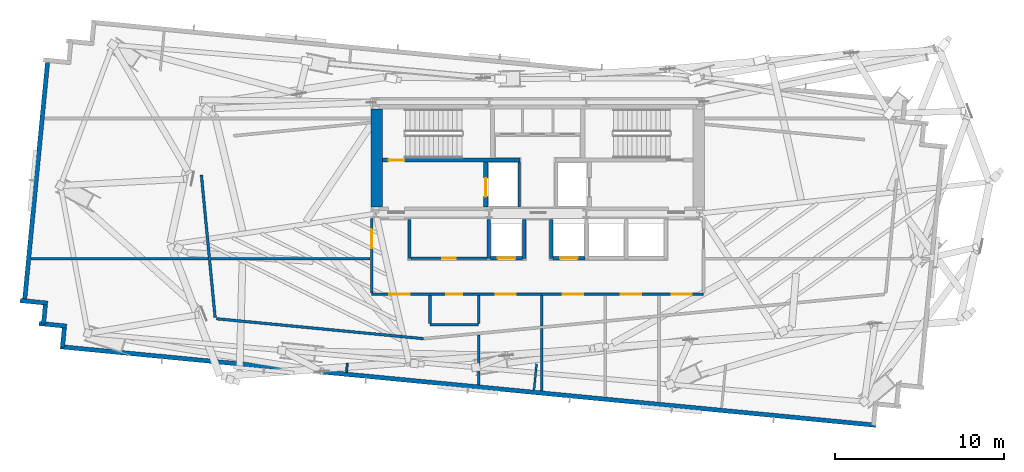
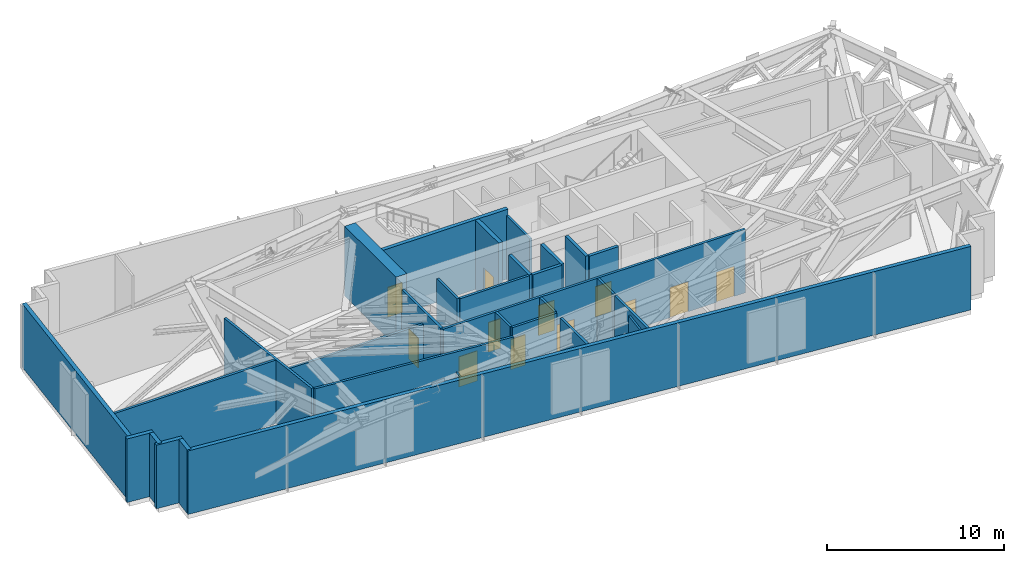
# One storey, part 6 of 10: 31 walls, 12 doors, 12 openings.
"""IFC4 building model written with IfcOpenShell, lengths in metres."""

from ifc_helpers import new_model, si_unit, direction, frame, frame_2d, origin, place, context, subcontext, project, spatial, rectangle, extrude, source, transform, mapped, material, layer, layer_set, type_object, type_shapes, element, fill, save


model = new_model("IFC4")

# Units and contexts
model_context = context("Model", 3, precision=1e-05, world=origin(), true_north=direction((0.0, 1.0)))
body_context = subcontext(model_context, "Body", "Model", "MODEL_VIEW")
ifc_project = project(units=[si_unit("LENGTHUNIT", "METRE"), si_unit("AREAUNIT", "SQUARE_METRE"), si_unit("VOLUMEUNIT", "CUBIC_METRE"), si_unit("PLANEANGLEUNIT", "RADIAN"), si_unit("MASSUNIT", "GRAM", prefix="KILO")], contexts=[model_context])

# Site, building, storey
site_placement = place(None, origin())
site = spatial("IfcSite", under=ifc_project, at=site_placement, CompositionType="ELEMENT")
building_placement = place(site_placement, origin())
building = spatial("IfcBuilding", under=site, at=building_placement, Name="Astriad Promenade Condominiums", CompositionType="ELEMENT")
storey_placement = place(building_placement, frame((0.0, 0.0, 163.0)))
storey = spatial("IfcBuildingStorey", under=building, at=storey_placement, Name="L47", CompositionType="ELEMENT", Elevation=163.0)

# Wall
ifc_material_1 = material(Name="Concrete C60/75", Category="concrete")
ifc_layer_1 = layer(ifc_material_1, 0.699951171875)
ifc_layer_set_1 = layer_set([ifc_layer_1], Name="Concrete C60/75")
wall_type_1 = type_object("IfcWallType", Name="CW-SHEAR-700", PredefinedType="SHEAR", material=ifc_layer_set_1)
wall_1_placement = place(storey_placement, frame((26.449951171875, 17.802001953125, 0.0), z_axis=(0.0, 0.0, 1.0), x_axis=(0.0, 1.0, 0.0)))
element("IfcWall", 1, at=wall_1_placement, inside=storey, type_object=wall_type_1, Name="CW-CORE-W-L47", PredefinedType="SHEAR", context=body_context, shape_type="SweptSolid", body=[
    extrude(rectangle(XDim=5.7958984375, YDim=0.699951171875, at=frame_2d((2.89794921875, 0.0))), origin(), (0.0, 0.0, 1.0), 4.800048828125),
])

# Wall, opening, door
ifc_material_2 = material(Name="Concrete C50/60", Category="concrete")
ifc_layer_2 = layer(ifc_material_2, 0.25)
ifc_layer_set_2 = layer_set([ifc_layer_2], Name="Concrete C50/60")
wall_type_2 = type_object("IfcWallType", Name="WALL-CORE-INT-250", PredefinedType="SOLIDWALL", material=ifc_layer_set_2)
wall_2_placement = place(storey_placement, frame((26.802001953125, 20.574951171875, 0.0), z_axis=(0.0, 0.0, 1.0), x_axis=(1.0, 0.0, 0.0)))
wall_2 = element("IfcWall", 2, at=wall_2_placement, inside=storey, type_object=wall_type_2, Name="CW-INT-H1-L47", PredefinedType="SOLIDWALL", context=body_context, shape_type="SweptSolid", body=[
    extrude(rectangle(XDim=8.14794921875, YDim=0.25, at=frame_2d((4.073974609375, 0.0))), origin(), (0.0, 0.0, 1.0), 4.800048828125),
])
opening_1_placement = place(wall_2_placement, frame((0.347900390625, 0.0, 0.0)))
opening_1 = element("IfcOpeningElement", 3, at=opening_1_placement, cuts=wall_2, Name="Opening FD90-ST-095", PredefinedType="OPENING", context=body_context, shape_type="SweptSolid", body=[
    extrude(rectangle(XDim=0.949951171875, YDim=2.06005859375, at=frame_2d((0.47509765625, 1.030029296875))), frame((0.0, 0.135009765625, 0.0), z_axis=(0.0, -1.0, 0.0), x_axis=(1.0, 0.0, 0.0)), (0.0, 0.0, 1.0), 0.27001953125),
])
ifc_material_3 = material(Name="Fire-Rated Hollow Metal Stair Door")
door_type_1 = type_object("IfcDoorType", Name="FD90-ST-095", OperationType="NOTDEFINED", PredefinedType="DOOR", material=ifc_material_3)
shared_shape_1 = source(origin(), body_context, "Body", "SweptSolid", [
    extrude(rectangle(XDim=0.949951171875, YDim=2.06005859375, at=frame_2d((0.47509765625, 1.030029296875))), frame((0.0, 0.02490234375, 0.0), z_axis=(0.0, -1.0, 0.0), x_axis=(1.0, 0.0, 0.0)), (0.0, 0.0, 1.0), 0.050048828125),
])
type_shapes(door_type_1, [shared_shape_1])
door_1_placement = place(opening_1_placement, origin())
door_1 = element("IfcDoor", 4, at=door_1_placement, inside=storey, type_object=door_type_1, Name="D-ST1-L47", OperationType="SINGLE_SWING_LEFT", OverallHeight=2.06005859375, OverallWidth=0.949951171875, PredefinedType="DOOR", context=body_context, shape_type="MappedRepresentation", body=[
    mapped(shared_shape_1, transform((0.0, 0.0, 0.0), scale=1.0)),
])
fill(opening_1, door_1)

wall_3_placement = place(storey_placement, frame((32.925048828125, 17.802001953125, 0.0), z_axis=(0.0, 0.0, 1.0), x_axis=(0.0, 1.0, 0.0)))
wall_3 = element("IfcWall", 5, at=wall_3_placement, inside=storey, type_object=wall_type_2, Name="CW-FFL1-W-L47", PredefinedType="SOLIDWALL", context=body_context, shape_type="SweptSolid", body=[
    extrude(rectangle(XDim=2.64599609375, YDim=0.25, at=frame_2d((1.322998046875, 0.0))), origin(), (0.0, 0.0, 1.0), 4.800048828125),
])
opening_2_placement = place(wall_3_placement, frame((0.597900390625, 0.0, 0.0)))
opening_2 = element("IfcOpeningElement", 6, at=opening_2_placement, cuts=wall_3, Name="Opening LD-FFL-1122", PredefinedType="OPENING", context=body_context, shape_type="SweptSolid", body=[
    extrude(rectangle(XDim=1.10009765625, YDim=2.080078125, at=frame_2d((0.550048828125, 1.0400390625))), frame((0.0, 0.135009765625, 0.0), z_axis=(0.0, -1.0, 0.0), x_axis=(1.0, 0.0, 0.0)), (0.0, 0.0, 1.0), 0.27001953125),
])
ifc_material_4 = material(Name="Brushed Stainless Steel Fire Elevator Landing Door", Category="steel")
door_type_2 = type_object("IfcDoorType", Name="LD-FFL-1122", OperationType="NOTDEFINED", PredefinedType="DOOR", material=ifc_material_4)
shared_shape_2 = source(origin(), body_context, "Body", "SweptSolid", [
    extrude(rectangle(XDim=1.10009765625, YDim=2.080078125, at=frame_2d((0.550048828125, 1.0400390625))), frame((0.0, 0.02490234375, 0.0), z_axis=(0.0, -1.0, 0.0), x_axis=(1.0, 0.0, 0.0)), (0.0, 0.0, 1.0), 0.050048828125),
])
type_shapes(door_type_2, [shared_shape_2])
door_2_placement = place(opening_2_placement, origin())
door_2 = element("IfcDoor", 7, at=door_2_placement, inside=storey, type_object=door_type_2, Name="Elevator Landing Door FFL-1 (L47)", OperationType="SLIDING_TO_LEFT", OverallHeight=2.080078125, OverallWidth=1.10009765625, PredefinedType="DOOR", context=body_context, shape_type="MappedRepresentation", body=[
    mapped(shared_shape_2, transform((0.0, 0.0, 0.0), scale=1.0)),
])
fill(opening_2, door_2)

# Walls
ifc_material_5 = material(Name="Fire-Rated Gypsum Partition")
ifc_layer_3 = layer(ifc_material_5, 0.159912109375)
ifc_layer_set_3 = layer_set([ifc_layer_3], Name="Fire-Rated Gypsum Partition")
wall_type_3 = type_object("IfcWallType", Name="WALL-CORR-160", PredefinedType="PARTITIONING", material=ifc_layer_set_3)
wall_4_placement = place(storey_placement, frame((34.89990234375, 17.802001953125, 0.0), z_axis=(0.0, 0.0, 1.0), x_axis=(0.0, 1.0, 0.0)))
element("IfcWall", 8, at=wall_4_placement, inside=storey, type_object=wall_type_3, Name="CW-FFL1-E-L47", PredefinedType="PARTITIONING", context=body_context, shape_type="SweptSolid", body=[
    extrude(rectangle(XDim=2.64599609375, YDim=0.159912109375, at=frame_2d((1.322998046875, 0.0))), origin(), (0.0, 0.0, 1.0), 4.3798828125),
])
wall_5_placement = place(storey_placement, frame((28.39990234375, 14.75, 0.0), z_axis=(0.0, 0.0, 1.0), x_axis=(0.0, 1.0, 0.0)))
element("IfcWall", 9, at=wall_5_placement, inside=storey, type_object=wall_type_3, Name="REC-L-W-L47", PredefinedType="PARTITIONING", context=body_context, shape_type="SweptSolid", body=[
    extrude(rectangle(XDim=2.300048828125, YDim=0.159912109375, at=frame_2d((1.14990234375, 0.0))), origin(), (0.0, 0.0, 1.0), 4.3798828125),
])

# Wall, opening, door
wall_6_placement = place(storey_placement, frame((28.48193359375, 14.75, 0.0), z_axis=(0.0, 0.0, 1.0), x_axis=(1.0, 0.0, 0.0)))
wall_6 = element("IfcWall", 10, at=wall_6_placement, inside=storey, type_object=wall_type_3, Name="REC-L-S-L47", PredefinedType="PARTITIONING", context=body_context, shape_type="SweptSolid", body=[
    extrude(rectangle(XDim=4.51611328125, YDim=0.159912109375, at=frame_2d((2.258056640625, 0.0))), origin(), (0.0, 0.0, 1.0), 4.3798828125),
])
opening_3_placement = place(wall_6_placement, frame((1.867919921875, 0.0, 0.0)))
opening_3 = element("IfcOpeningElement", 11, at=opening_3_placement, cuts=wall_6, Name="Opening FD60-SV-080", PredefinedType="OPENING", context=body_context, shape_type="SweptSolid", body=[
    extrude(rectangle(XDim=0.800048828125, YDim=2.050048828125, at=frame_2d((0.39990234375, 1.02490234375))), frame((0.0, 0.08984375, 0.0), z_axis=(0.0, -1.0, 0.0), x_axis=(1.0, 0.0, 0.0)), (0.0, 0.0, 1.0), 0.179931640625),
])
ifc_material_6 = material(Name="Fire-Rated Riser Closet Door")
door_type_3 = type_object("IfcDoorType", Name="FD60-SV-080", OperationType="NOTDEFINED", PredefinedType="DOOR", material=ifc_material_6)
shared_shape_3 = source(origin(), body_context, "Body", "SweptSolid", [
    extrude(rectangle(XDim=0.800048828125, YDim=2.050048828125, at=frame_2d((0.39990234375, 1.02490234375))), frame((0.0, 0.02490234375, 0.0), z_axis=(0.0, -1.0, 0.0), x_axis=(1.0, 0.0, 0.0)), (0.0, 0.0, 1.0), 0.050048828125),
])
type_shapes(door_type_3, [shared_shape_3])
door_3_placement = place(opening_3_placement, origin())
door_3 = element("IfcDoor", 12, at=door_3_placement, inside=storey, type_object=door_type_3, Name="D-RECL-L47", OperationType="SINGLE_SWING_RIGHT", OverallHeight=2.050048828125, OverallWidth=0.800048828125, PredefinedType="DOOR", context=body_context, shape_type="MappedRepresentation", body=[
    mapped(shared_shape_3, transform((0.0, 0.0, 0.0), scale=1.0)),
])
fill(opening_3, door_3)

# Walls
wall_7_placement = place(storey_placement, frame((29.22802734375, 9.98095703125, 0.0), z_axis=(0.0, 0.0, 1.0), x_axis=(-0.995396991486, 0.095837515313, 0.0)))
element("IfcWall", 13, at=wall_7_placement, inside=storey, type_object=wall_type_3, Name="PT-L47-BTR-03", PredefinedType="PARTITIONING", context=body_context, shape_type="SweptSolid", body=[
    extrude(rectangle(XDim=12.344970703125, YDim=0.159912109375, at=frame_2d((6.17236328125, 0.0))), origin(), (0.0, 0.0, 1.0), 4.3798828125),
])
wall_8_placement = place(storey_placement, frame((16.867919921875, 11.236083984375, 0.0), z_axis=(0.0, 0.0, 1.0), x_axis=(-0.095861975129, 0.995394636174, 0.0)))
element("IfcWall", 14, at=wall_8_placement, inside=storey, type_object=wall_type_3, Name="PT-L47-BTR-04", PredefinedType="PARTITIONING", context=body_context, shape_type="SweptSolid", body=[
    extrude(rectangle(XDim=8.490966796875, YDim=0.159912109375, at=frame_2d((4.24560546875, 0.0))), origin(), (0.0, 0.0, 1.0), 4.3798828125),
])

# Wall, openings, doors
wall_9_placement = place(storey_placement, frame((26.14990234375, 12.6201171875, 0.0), z_axis=(0.0, 0.0, 1.0), x_axis=(1.0, 0.0, 0.0)))
wall_9 = element("IfcWall", 15, at=wall_9_placement, inside=storey, type_object=wall_type_3, Name="PT-L47-PCS", PredefinedType="PARTITIONING", context=body_context, shape_type="SweptSolid", body=[
    extrude(rectangle(XDim=19.7001953125, YDim=0.159912109375, at=frame_2d((9.85009765625, 0.0))), origin(), (0.0, 0.0, 1.0), 4.3798828125),
])
opening_4_placement = place(wall_9_placement, frame((1.050048828125, 0.0, 0.0)))
opening_4 = element("IfcOpeningElement", 16, at=opening_4_placement, cuts=wall_9, Name="Opening FD90-PLT-1222", PredefinedType="OPENING", context=body_context, shape_type="SweptSolid", body=[
    extrude(rectangle(XDim=1.199951171875, YDim=2.080078125, at=frame_2d((0.60009765625, 1.0400390625))), frame((0.0, 0.08984375, 0.0), z_axis=(0.0, -1.0, 0.0), x_axis=(1.0, 0.0, 0.0)), (0.0, 0.0, 1.0), 0.179931640625),
])
opening_5_placement = place(wall_9_placement, frame((4.425048828125, 0.0, 0.0)))
opening_5 = element("IfcOpeningElement", 17, at=opening_5_placement, cuts=wall_9, Name="Opening D-WET-095", PredefinedType="OPENING", context=body_context, shape_type="SweptSolid", body=[
    extrude(rectangle(XDim=0.949951171875, YDim=2.10009765625, at=frame_2d((0.47509765625, 1.050048828125))), frame((0.0, 0.08984375, 0.0), z_axis=(0.0, -1.0, 0.0), x_axis=(1.0, 0.0, 0.0)), (0.0, 0.0, 1.0), 0.179931640625),
])
opening_6_placement = place(wall_9_placement, frame((7.35009765625, 0.0, 0.0)))
opening_6 = element("IfcOpeningElement", 18, at=opening_6_placement, cuts=wall_9, Name="Opening FD90-PLT-1222", PredefinedType="OPENING", context=body_context, shape_type="SweptSolid", body=[
    extrude(rectangle(XDim=1.199951171875, YDim=2.080078125, at=frame_2d((0.60009765625, 1.0400390625))), frame((0.0, 0.08984375, 0.0), z_axis=(0.0, -1.0, 0.0), x_axis=(1.0, 0.0, 0.0)), (0.0, 0.0, 1.0), 0.179931640625),
])
opening_7_placement = place(wall_9_placement, frame((11.35009765625, 0.0, 0.0)))
opening_7 = element("IfcOpeningElement", 19, at=opening_7_placement, cuts=wall_9, Name="Opening FD90-PLT-1222", PredefinedType="OPENING", context=body_context, shape_type="SweptSolid", body=[
    extrude(rectangle(XDim=1.199951171875, YDim=2.080078125, at=frame_2d((0.60009765625, 1.0400390625))), frame((0.0, 0.08984375, 0.0), z_axis=(0.0, -1.0, 0.0), x_axis=(1.0, 0.0, 0.0)), (0.0, 0.0, 1.0), 0.179931640625),
])
opening_8_placement = place(wall_9_placement, frame((14.7900390625, 0.0, 0.0)))
opening_8 = element("IfcOpeningElement", 20, at=opening_8_placement, cuts=wall_9, Name="Opening FD90-PLT-1222", PredefinedType="OPENING", context=body_context, shape_type="SweptSolid", body=[
    extrude(rectangle(XDim=1.199951171875, YDim=2.080078125, at=frame_2d((0.60009765625, 1.0400390625))), frame((0.0, 0.08984375, 0.0), z_axis=(0.0, -1.0, 0.0), x_axis=(1.0, 0.0, 0.0)), (0.0, 0.0, 1.0), 0.179931640625),
])
opening_9_placement = place(wall_9_placement, frame((17.800048828125, 0.0, 0.0)))
opening_9 = element("IfcOpeningElement", 21, at=opening_9_placement, cuts=wall_9, Name="Opening FD90-PLT-1222", PredefinedType="OPENING", context=body_context, shape_type="SweptSolid", body=[
    extrude(rectangle(XDim=1.199951171875, YDim=2.080078125, at=frame_2d((0.60009765625, 1.0400390625))), frame((0.0, 0.08984375, 0.0), z_axis=(0.0, -1.0, 0.0), x_axis=(1.0, 0.0, 0.0)), (0.0, 0.0, 1.0), 0.179931640625),
])
ifc_material_7 = material(Name="Fire-Rated Double-Insulated Plant Door")
door_type_4 = type_object("IfcDoorType", Name="FD90-PLT-1222", OperationType="NOTDEFINED", PredefinedType="DOOR", material=ifc_material_7)
shared_shape_4 = source(origin(), body_context, "Body", "SweptSolid", [
    extrude(rectangle(XDim=1.199951171875, YDim=2.080078125, at=frame_2d((0.60009765625, 1.0400390625))), frame((0.0, 0.02490234375, 0.0), z_axis=(0.0, -1.0, 0.0), x_axis=(1.0, 0.0, 0.0)), (0.0, 0.0, 1.0), 0.050048828125),
])
type_shapes(door_type_4, [shared_shape_4])
door_4_placement = place(opening_4_placement, origin())
door_4 = element("IfcDoor", 22, at=door_4_placement, inside=storey, type_object=door_type_4, Name="D-L47-PL1", OperationType="SINGLE_SWING_LEFT", OverallHeight=2.080078125, OverallWidth=1.199951171875, PredefinedType="DOOR", context=body_context, shape_type="MappedRepresentation", body=[
    mapped(shared_shape_4, transform((0.0, 0.0, 0.0), scale=1.0)),
])
fill(opening_4, door_4)
door_5_placement = place(opening_6_placement, origin())
door_5 = element("IfcDoor", 23, at=door_5_placement, inside=storey, type_object=door_type_4, Name="D-L47-PL2", OperationType="SINGLE_SWING_LEFT", OverallHeight=2.080078125, OverallWidth=1.199951171875, PredefinedType="DOOR", context=body_context, shape_type="MappedRepresentation", body=[
    mapped(shared_shape_4, transform((0.0, 0.0, 0.0), scale=1.0)),
])
fill(opening_6, door_5)
door_6_placement = place(opening_7_placement, origin())
door_6 = element("IfcDoor", 24, at=door_6_placement, inside=storey, type_object=door_type_4, Name="D-L47-PL3", OperationType="SINGLE_SWING_RIGHT", OverallHeight=2.080078125, OverallWidth=1.199951171875, PredefinedType="DOOR", context=body_context, shape_type="MappedRepresentation", body=[
    mapped(shared_shape_4, transform((0.0, 0.0, 0.0), scale=1.0)),
])
fill(opening_7, door_6)
door_7_placement = place(opening_8_placement, origin())
door_7 = element("IfcDoor", 25, at=door_7_placement, inside=storey, type_object=door_type_4, Name="D-L47-PL4", OperationType="SINGLE_SWING_LEFT", OverallHeight=2.080078125, OverallWidth=1.199951171875, PredefinedType="DOOR", context=body_context, shape_type="MappedRepresentation", body=[
    mapped(shared_shape_4, transform((0.0, 0.0, 0.0), scale=1.0)),
])
fill(opening_8, door_7)
door_8_placement = place(opening_9_placement, origin())
door_8 = element("IfcDoor", 26, at=door_8_placement, inside=storey, type_object=door_type_4, Name="D-L47-PL5", OperationType="SINGLE_SWING_RIGHT", OverallHeight=2.080078125, OverallWidth=1.199951171875, PredefinedType="DOOR", context=body_context, shape_type="MappedRepresentation", body=[
    mapped(shared_shape_4, transform((0.0, 0.0, 0.0), scale=1.0)),
])
fill(opening_9, door_8)
ifc_material_8 = material(Name="Accessible Restroom Timber Door", Category="wood")
door_type_5 = type_object("IfcDoorType", Name="D-WET-095", OperationType="NOTDEFINED", PredefinedType="DOOR", material=ifc_material_8)
shared_shape_5 = source(origin(), body_context, "Body", "SweptSolid", [
    extrude(rectangle(XDim=0.949951171875, YDim=2.10009765625, at=frame_2d((0.47509765625, 1.050048828125))), frame((0.0, 0.02490234375, 0.0), z_axis=(0.0, -1.0, 0.0), x_axis=(1.0, 0.0, 0.0)), (0.0, 0.0, 1.0), 0.050048828125),
])
type_shapes(door_type_5, [shared_shape_5])
door_9_placement = place(opening_5_placement, origin())
door_9 = element("IfcDoor", 27, at=door_9_placement, inside=storey, type_object=door_type_5, Name="D-L47-AWC", OperationType="SINGLE_SWING_RIGHT", OverallHeight=2.10009765625, OverallWidth=0.949951171875, PredefinedType="DOOR", context=body_context, shape_type="MappedRepresentation", body=[
    mapped(shared_shape_5, transform((0.0, 0.0, 0.0), scale=1.0)),
])
fill(opening_5, door_9)

# Wall, opening, door
wall_10_placement = place(storey_placement, frame((26.14990234375, 12.701904296875, 0.0), z_axis=(0.0, 0.0, 1.0), x_axis=(0.0, 1.0, 0.0)))
wall_10 = element("IfcWall", 28, at=wall_10_placement, inside=storey, type_object=wall_type_3, Name="PT-L47-PCW", PredefinedType="PARTITIONING", context=body_context, shape_type="SweptSolid", body=[
    extrude(rectangle(XDim=4.39599609375, YDim=0.159912109375, at=frame_2d((2.197998046875, 0.0))), origin(), (0.0, 0.0, 1.0), 4.3798828125),
])
opening_10_placement = place(wall_10_placement, frame((2.64794921875, 0.0, 0.0)))
opening_10 = element("IfcOpeningElement", 29, at=opening_10_placement, cuts=wall_10, Name="Opening FD90-REF-1121", PredefinedType="OPENING", context=body_context, shape_type="SweptSolid", body=[
    extrude(rectangle(XDim=1.10009765625, YDim=2.06005859375, at=frame_2d((0.550048828125, 1.030029296875))), frame((0.0, 0.08984375, 0.0), z_axis=(0.0, -1.0, 0.0), x_axis=(1.0, 0.0, 0.0)), (0.0, 0.0, 1.0), 0.179931640625),
])
ifc_material_9 = material(Name="Fire-Rated Refuge Door")
door_type_6 = type_object("IfcDoorType", Name="FD90-REF-1121", OperationType="NOTDEFINED", PredefinedType="DOOR", material=ifc_material_9)
shared_shape_6 = source(origin(), body_context, "Body", "SweptSolid", [
    extrude(rectangle(XDim=1.10009765625, YDim=2.06005859375, at=frame_2d((0.550048828125, 1.030029296875))), frame((0.0, 0.02490234375, 0.0), z_axis=(0.0, -1.0, 0.0), x_axis=(1.0, 0.0, 0.0)), (0.0, 0.0, 1.0), 0.050048828125),
])
type_shapes(door_type_6, [shared_shape_6])
door_10_placement = place(opening_10_placement, origin())
door_10 = element("IfcDoor", 30, at=door_10_placement, inside=storey, type_object=door_type_6, Name="D-L47-REFW", OperationType="SINGLE_SWING_LEFT", OverallHeight=2.06005859375, OverallWidth=1.10009765625, PredefinedType="DOOR", context=body_context, shape_type="MappedRepresentation", body=[
    mapped(shared_shape_6, transform((0.0, 0.0, 0.0), scale=1.0)),
])
fill(opening_10, door_10)

# Walls
wall_11_placement = place(storey_placement, frame((29.610107421875, 10.800048828125, 0.0), z_axis=(0.0, 0.0, 1.0), x_axis=(1.0, 0.0, 0.0)))
element("IfcWall", 31, at=wall_11_placement, inside=storey, type_object=wall_type_3, Name="PT-L47-AWCS", PredefinedType="PARTITIONING", context=body_context, shape_type="SweptSolid", body=[
    extrude(rectangle(XDim=2.889892578125, YDim=0.159912109375, at=frame_2d((1.44482421875, 0.0))), origin(), (0.0, 0.0, 1.0), 4.3798828125),
])
wall_12_placement = place(storey_placement, frame((29.610107421875, 10.882080078125, 0.0), z_axis=(0.0, 0.0, 1.0), x_axis=(0.0, 1.0, 0.0)))
element("IfcWall", 32, at=wall_12_placement, inside=storey, type_object=wall_type_3, Name="PT-L47-AWCW", PredefinedType="PARTITIONING", context=body_context, shape_type="SweptSolid", body=[
    extrude(rectangle(XDim=1.656005859375, YDim=0.159912109375, at=frame_2d((0.828125, 0.0))), origin(), (0.0, 0.0, 1.0), 4.3798828125),
])
wall_13_placement = place(storey_placement, frame((5.93896484375, 14.719970703125, 0.0), z_axis=(0.0, 0.0, 1.0), x_axis=(1.0, 0.0, 0.0)))
element("IfcWall", 33, at=wall_13_placement, inside=storey, type_object=wall_type_3, Name="PT-L47-PCNW", PredefinedType="PARTITIONING", context=body_context, shape_type="SweptSolid", body=[
    extrude(rectangle(XDim=10.51123046875, YDim=0.159912109375, at=frame_2d((5.255615234375, 0.0))), origin(), (0.0, 0.0, 1.0), 4.3798828125),
])
wall_14_placement = place(storey_placement, frame((16.61474609375, 14.719970703125, 0.0), z_axis=(0.0, 0.0, 1.0), x_axis=(1.0, 0.0, 0.0)))
element("IfcWall", 34, at=wall_14_placement, inside=storey, type_object=wall_type_3, Name="PT-L47-PCNW-S2", PredefinedType="PARTITIONING", context=body_context, shape_type="SweptSolid", body=[
    extrude(rectangle(XDim=9.453369140625, YDim=0.159912109375, at=frame_2d((4.7265625, 0.0))), origin(), (0.0, 0.0, 1.0), 3.48486328125),
])
wall_15_placement = place(storey_placement, frame((32.5, 7.246826171875, 0.0), z_axis=(0.0, 0.0, 1.0), x_axis=(0.0, 1.0, 0.0)))
element("IfcWall", 35, at=wall_15_placement, inside=storey, type_object=wall_type_3, Name="PT-L47-PV1", PredefinedType="PARTITIONING", context=body_context, shape_type="SweptSolid", body=[
    extrude(rectangle(XDim=2.965576171875, YDim=0.159912109375, at=frame_2d((1.48291015625, 0.0))), origin(), (0.0, 0.0, 1.0), 4.3798828125),
])
wall_16_placement = place(storey_placement, frame((32.5, 10.882080078125, 0.0), z_axis=(0.0, 0.0, 1.0), x_axis=(0.0, 1.0, 0.0)))
element("IfcWall", 36, at=wall_16_placement, inside=storey, type_object=wall_type_3, Name="PT-L47-PV1-S2", PredefinedType="PARTITIONING", context=body_context, shape_type="SweptSolid", body=[
    extrude(rectangle(XDim=1.656005859375, YDim=0.159912109375, at=frame_2d((0.828125, 0.0))), origin(), (0.0, 0.0, 1.0), 4.3798828125),
])
wall_17_placement = place(storey_placement, frame((36.25, 6.8857421875, 0.0), z_axis=(0.0, 0.0, 1.0), x_axis=(0.0, 1.0, 0.0)))
element("IfcWall", 37, at=wall_17_placement, inside=storey, type_object=wall_type_3, Name="PT-L47-PV2", PredefinedType="PARTITIONING", context=body_context, shape_type="SweptSolid", body=[
    extrude(rectangle(XDim=3.687744140625, YDim=0.159912109375, at=frame_2d((1.84375, 0.0))), origin(), (0.0, 0.0, 1.0), 4.3798828125),
])
wall_18_placement = place(storey_placement, frame((36.25, 10.73828125, 0.0), z_axis=(0.0, 0.0, 1.0), x_axis=(0.0, 1.0, 0.0)))
element("IfcWall", 38, at=wall_18_placement, inside=storey, type_object=wall_type_3, Name="PT-L47-PV2-S2", PredefinedType="PARTITIONING", context=body_context, shape_type="SweptSolid", body=[
    extrude(rectangle(XDim=1.7998046875, YDim=0.159912109375, at=frame_2d((0.89990234375, 0.0))), origin(), (0.0, 0.0, 1.0), 4.3798828125),
])
ifc_material_10 = material(Name="Precast concrete C50/60", Category="concrete")
ifc_layer_4 = layer(ifc_material_10, 0.260009765625)
ifc_layer_set_4 = layer_set([ifc_layer_4], Name="Precast concrete C50/60")
wall_type_4 = type_object("IfcWallType", Name="WALL-EXT-TWR-260", PredefinedType="STANDARD", material=ifc_layer_set_4)
wall_19_placement = place(storey_placement, frame((8.063720703125, 10.722900390625, 0.0), z_axis=(0.0, 0.0, 1.0), x_axis=(-0.995394563142, 0.095862733462, 0.0)))
element("IfcWall", 39, at=wall_19_placement, inside=storey, type_object=wall_type_4, Name="W-SER-L47-00", PredefinedType="STANDARD", context=body_context, shape_type="SweptSolid", body=[
    extrude(rectangle(XDim=1.64013671875, YDim=0.260009765625, at=frame_2d((0.820068359375, 0.0))), origin(), (0.0, 0.0, 1.0), 4.3798828125),
])
wall_20_placement = place(storey_placement, frame((6.6884765625, 10.840087890625, 0.0), z_axis=(0.0, 0.0, 1.0), x_axis=(0.095951054827, 0.995386053287, 0.0)))
element("IfcWall", 40, at=wall_20_placement, inside=storey, type_object=wall_type_4, Name="W-SER-L47-01", PredefinedType="STANDARD", context=body_context, shape_type="SweptSolid", body=[
    extrude(rectangle(XDim=1.150146484375, YDim=0.260009765625, at=frame_2d((0.5751953125, 0.0))), origin(), (0.0, 0.0, 1.0), 4.3798828125),
])
wall_21_placement = place(storey_placement, frame((6.939208984375, 12.0869140625, 0.0), z_axis=(0.0, 0.0, 1.0), x_axis=(-0.995393194909, 0.095876939504, 0.0)))
element("IfcWall", 41, at=wall_21_placement, inside=storey, type_object=wall_type_4, Name="W-SER-L47-02", PredefinedType="STANDARD", context=body_context, shape_type="SweptSolid", body=[
    extrude(rectangle(XDim=1.639892578125, YDim=0.260009765625, at=frame_2d((0.81982421875, 0.0))), origin(), (0.0, 0.0, 1.0), 4.3798828125),
])
wall_22_placement = place(storey_placement, frame((5.552978515625, 12.08984375, 0.0), z_axis=(0.0, 0.0, 1.0), x_axis=(0.095850691846, 0.995395722752, 0.0)))
element("IfcWall", 42, at=wall_22_placement, inside=storey, type_object=wall_type_4, Name="W-PLT-L47-W", PredefinedType="STANDARD", context=body_context, shape_type="SweptSolid", body=[
    extrude(rectangle(XDim=14.599853515625, YDim=0.260009765625, at=frame_2d((7.2998046875, 0.0))), origin(), (0.0, 0.0, 1.0), 4.3798828125),
])
wall_23_placement = place(storey_placement, frame((56.061279296875, 4.845458984375, 0.0), z_axis=(0.0, 0.0, 1.0), x_axis=(-0.995395996409, 0.095847849908, 0.0)))
element("IfcWall", 43, at=wall_23_placement, inside=storey, type_object=wall_type_4, Name="W-PLT-L47-S", PredefinedType="STANDARD", context=body_context, shape_type="SweptSolid", body=[
    extrude(rectangle(XDim=48.599853515625, YDim=0.260009765625, at=frame_2d((24.2998046875, 0.0))), origin(), (0.0, 0.0, 1.0), 4.3798828125),
])
wall_24_placement = place(storey_placement, frame((7.81298828125, 9.476318359375, 0.0), z_axis=(0.0, 0.0, 1.0), x_axis=(0.09576095695, 0.995404359607, 0.0)))
element("IfcWall", 44, at=wall_24_placement, inside=storey, type_object=wall_type_4, Name="W-SER-L47-19", PredefinedType="STANDARD", context=body_context, shape_type="SweptSolid", body=[
    extrude(rectangle(XDim=1.14990234375, YDim=0.260009765625, at=frame_2d((0.574951171875, 0.0))), origin(), (0.0, 0.0, 1.0), 4.3798828125),
])
ifc_material_11 = material(Name="Acoustic Metal-Stud Gypsum Partition")
ifc_layer_5 = layer(ifc_material_11, 0.1201171875)
ifc_layer_set_5 = layer_set([ifc_layer_5], Name="Acoustic Metal-Stud Gypsum Partition")
wall_type_5 = type_object("IfcWallType", Name="WALL-PART-120", PredefinedType="PARTITIONING", material=ifc_layer_set_5)
wall_25_placement = place(storey_placement, frame((24.711669921875, 8.521240234375, 0.0), z_axis=(0.0, 0.0, 1.0), x_axis=(-0.09589066444, -0.995391872819, 0.0)))
element("IfcWall", 45, at=wall_25_placement, inside=storey, type_object=wall_type_5, Name="PT-PIL-L47-PC02-9", PredefinedType="PARTITIONING", context=body_context, shape_type="SweptSolid", body=[
    extrude(rectangle(XDim=0.52197265625, YDim=0.1201171875, at=frame_2d((0.260986328125, 0.0))), origin(), (0.0, 0.0, 1.0), 4.3798828125),
])
wall_26_placement = place(storey_placement, frame((35.934814453125, 8.489990234375, 0.0), z_axis=(0.0, 0.0, 1.0), x_axis=(-0.095831171786, -0.995397602224, 0.0)))
element("IfcWall", 46, at=wall_26_placement, inside=storey, type_object=wall_type_5, Name="PT-PIL-L47-PC03-10", PredefinedType="PARTITIONING", context=body_context, shape_type="SweptSolid", body=[
    extrude(rectangle(XDim=1.56689453125, YDim=0.1201171875, at=frame_2d((0.783447265625, 0.0))), origin(), (0.0, 0.0, 1.0), 4.3798828125),
])
ifc_material_12 = material(Name="Gypsum Shaftliner Assembly")
ifc_layer_6 = layer(ifc_material_12, 0.199951171875)
ifc_layer_set_6 = layer_set([ifc_layer_6], Name="Gypsum Shaftliner Assembly")
wall_type_6 = type_object("IfcWallType", Name="WALL-SHAFT-200", PredefinedType="PARTITIONING", material=ifc_layer_set_6)
for number, where, z_axis, x_axis, name in (
    (47, (33.10009765625, 14.75, 0.0), (0.0, 0.0, 1.0), (0.0, 1.0, 0.0), "REC-L-E-L47"),
    (48, (35.199951171875, 14.75, 0.0), (0.0, 0.0, 1.0), (0.0, 1.0, 0.0), "PL-M1-E-L47"),
):
    element("IfcWall", number, at=place(storey_placement, frame(where, z_axis=z_axis, x_axis=x_axis)), inside=storey, type_object=wall_type_6, Name=name, PredefinedType="PARTITIONING", context=body_context, shape_type="SweptSolid", body=[
        extrude(rectangle(XDim=2.300048828125, YDim=0.199951171875, at=frame_2d((1.14990234375, 0.0))), origin(), (0.0, 0.0, 1.0), 4.3798828125),
    ])

# Wall, opening, door
wall_27_placement = place(storey_placement, frame((33.201904296875, 14.75, 0.0), z_axis=(0.0, 0.0, 1.0), x_axis=(1.0, 0.0, 0.0)))
wall_27 = element("IfcWall", 49, at=wall_27_placement, inside=storey, type_object=wall_type_6, Name="PL-M1-F-L47", PredefinedType="PARTITIONING", context=body_context, shape_type="SweptSolid", body=[
    extrude(rectangle(XDim=1.89599609375, YDim=0.199951171875, at=frame_2d((0.947998046875, 0.0))), origin(), (0.0, 0.0, 1.0), 4.3798828125),
])
opening_11_placement = place(wall_27_placement, frame((0.423095703125, 0.0, 0.0)))
opening_11 = element("IfcOpeningElement", 50, at=opening_11_placement, cuts=wall_27, Name="Opening LD-PL-10522", PredefinedType="OPENING", context=body_context, shape_type="SweptSolid", body=[
    extrude(rectangle(XDim=1.050048828125, YDim=2.080078125, at=frame_2d((0.52490234375, 1.0400390625))), frame((0.0, 0.10986328125, 0.0), z_axis=(0.0, -1.0, 0.0), x_axis=(1.0, 0.0, 0.0)), (0.0, 0.0, 1.0), 0.219970703125),
])
ifc_material_13 = material(Name="Brushed Bronze Passenger Elevator Landing Door")
door_type_7 = type_object("IfcDoorType", Name="LD-PL-10522", OperationType="NOTDEFINED", PredefinedType="DOOR", material=ifc_material_13)
shared_shape_7 = source(origin(), body_context, "Body", "SweptSolid", [
    extrude(rectangle(XDim=1.050048828125, YDim=2.080078125, at=frame_2d((0.52490234375, 1.0400390625))), frame((0.0, 0.02490234375, 0.0), z_axis=(0.0, -1.0, 0.0), x_axis=(1.0, 0.0, 0.0)), (0.0, 0.0, 1.0), 0.050048828125),
])
type_shapes(door_type_7, [shared_shape_7])
door_11_placement = place(opening_11_placement, origin())
door_11 = element("IfcDoor", 51, at=door_11_placement, inside=storey, type_object=door_type_7, Name="Elevator Landing Door PL-M1 (L47)", OperationType="SLIDING_TO_LEFT", OverallHeight=2.080078125, OverallWidth=1.050048828125, PredefinedType="DOOR", context=body_context, shape_type="MappedRepresentation", body=[
    mapped(shared_shape_7, transform((0.0, 0.0, 0.0), scale=1.0)),
])
fill(opening_11, door_11)

# Wall
wall_28_placement = place(storey_placement, frame((36.800048828125, 14.75, 0.0), z_axis=(0.0, 0.0, 1.0), x_axis=(0.0, 1.0, 0.0)))
element("IfcWall", 52, at=wall_28_placement, inside=storey, type_object=wall_type_6, Name="PL-M2-W-L47", PredefinedType="PARTITIONING", context=body_context, shape_type="SweptSolid", body=[
    extrude(rectangle(XDim=2.300048828125, YDim=0.199951171875, at=frame_2d((1.14990234375, 0.0))), origin(), (0.0, 0.0, 1.0), 4.3798828125),
])

# Wall, opening, door
wall_29_placement = place(storey_placement, frame((36.902099609375, 14.75, 0.0), z_axis=(0.0, 0.0, 1.0), x_axis=(1.0, 0.0, 0.0)))
wall_29 = element("IfcWall", 53, at=wall_29_placement, inside=storey, type_object=wall_type_6, Name="PL-M2-F-L47", PredefinedType="PARTITIONING", context=body_context, shape_type="SweptSolid", body=[
    extrude(rectangle(XDim=1.89599609375, YDim=0.199951171875, at=frame_2d((0.947998046875, 0.0))), origin(), (0.0, 0.0, 1.0), 4.3798828125),
])
opening_12_placement = place(wall_29_placement, frame((0.423095703125, 0.0, 0.0)))
opening_12 = element("IfcOpeningElement", 54, at=opening_12_placement, cuts=wall_29, Name="Opening LD-PL-10522", PredefinedType="OPENING", context=body_context, shape_type="SweptSolid", body=[
    extrude(rectangle(XDim=1.050048828125, YDim=2.080078125, at=frame_2d((0.52490234375, 1.0400390625))), frame((0.0, 0.10986328125, 0.0), z_axis=(0.0, -1.0, 0.0), x_axis=(1.0, 0.0, 0.0)), (0.0, 0.0, 1.0), 0.219970703125),
])
door_12_placement = place(opening_12_placement, origin())
door_12 = element("IfcDoor", 55, at=door_12_placement, inside=storey, type_object=door_type_7, Name="Elevator Landing Door PL-M2 (L47)", OperationType="SLIDING_TO_RIGHT", OverallHeight=2.080078125, OverallWidth=1.050048828125, PredefinedType="DOOR", context=body_context, shape_type="MappedRepresentation", body=[
    mapped(shared_shape_7, transform((0.0, 0.0, 0.0), scale=1.0)),
])
fill(opening_12, door_12)

save(model, "model.ifc")
